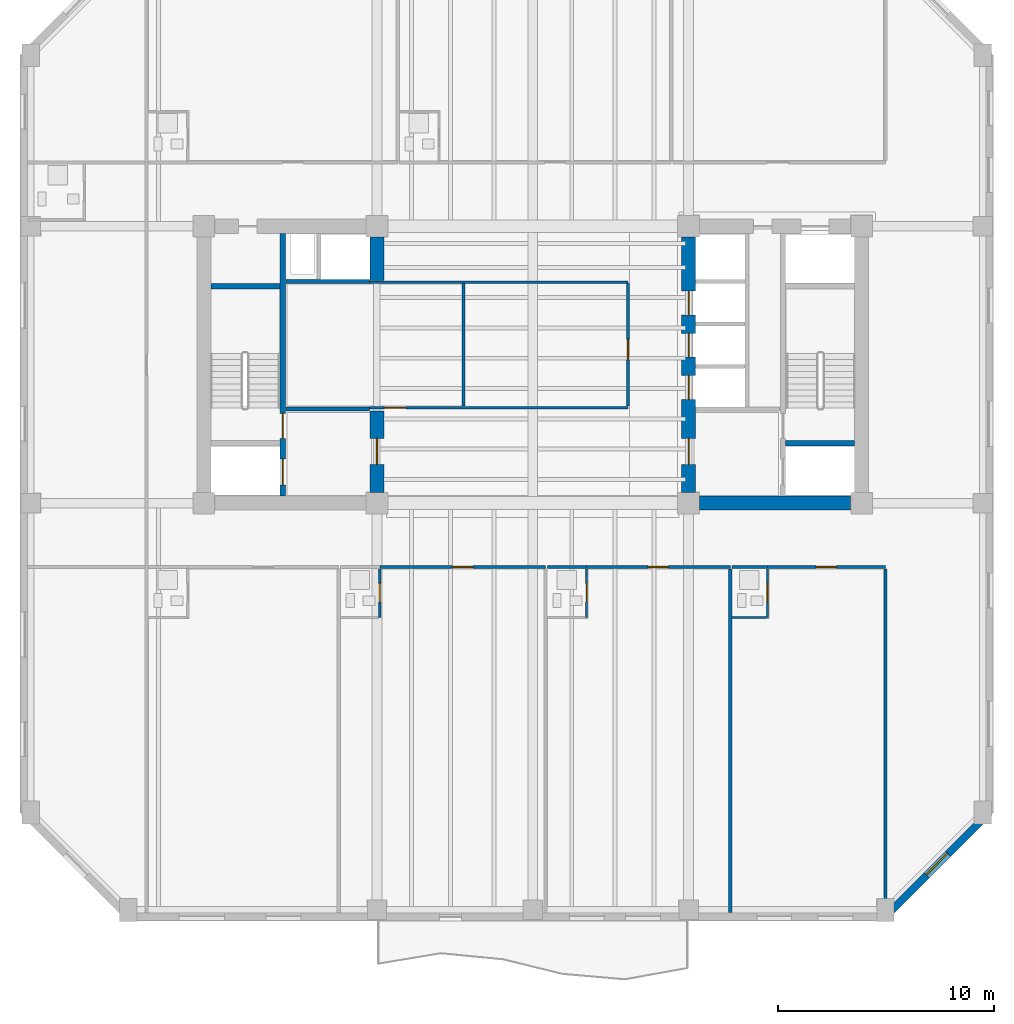
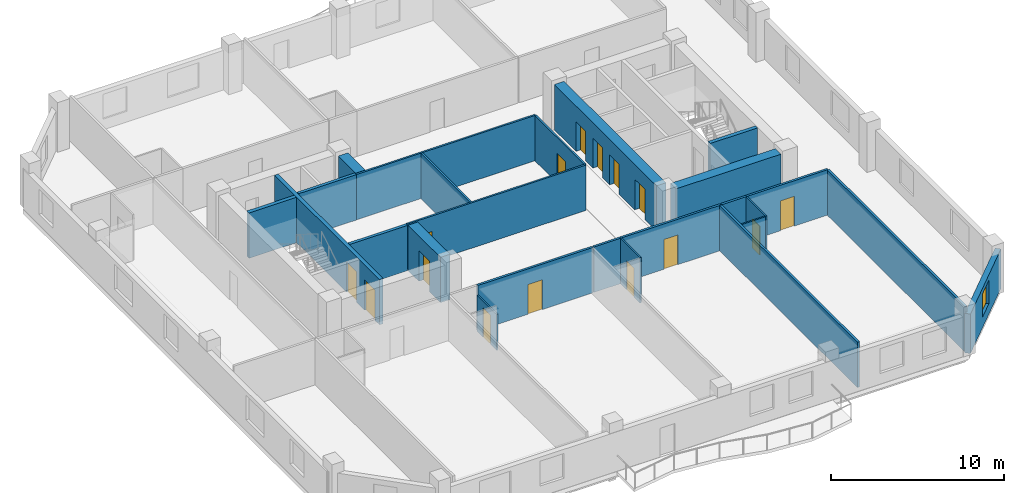
# One storey, part 3 of 10: 25 walls, 15 doors, 1 window, 16 openings.
"""IFC4 building model written with IfcOpenShell, lengths in metres."""

from ifc_helpers import new_model, si_unit, direction, frame, frame_2d, origin, place, context, subcontext, project, spatial, rectangle, extrude, material, layer, layer_set, type_object, element, fill, save


model = new_model("IFC4")

# Units and contexts
model_context = context("Model", 3, precision=1e-05, world=origin(), true_north=direction((0.0, 1.0)))
body_context = subcontext(model_context, "Body", "Model", "MODEL_VIEW")
ifc_project = project(units=[si_unit("LENGTHUNIT", "METRE"), si_unit("AREAUNIT", "SQUARE_METRE"), si_unit("VOLUMEUNIT", "CUBIC_METRE"), si_unit("PLANEANGLEUNIT", "RADIAN"), si_unit("MASSUNIT", "GRAM", prefix="KILO")], contexts=[model_context])

# Site, building, storey
site_placement = place(None, origin())
site = spatial("IfcSite", under=ifc_project, at=site_placement, CompositionType="ELEMENT")
building_placement = place(site_placement, origin())
building = spatial("IfcBuilding", under=site, at=building_placement, Name="Kranthara Brick Stack", CompositionType="ELEMENT")
storey_placement = place(building_placement, frame((0.0, 0.0, 123.800048828125)))
storey = spatial("IfcBuildingStorey", under=building, at=storey_placement, Name="L30", CompositionType="ELEMENT", Elevation=123.800048828125)

# Wall, opening, window
ifc_material_1 = material(Name="Kiln-fired clay brick masonry M15", Category="masonry")
ifc_layer_1 = layer(ifc_material_1, 0.35009765625)
ifc_layer_set_1 = layer_set([ifc_layer_1], Name="Kiln-fired clay brick masonry M15")
wall_type_1 = type_object("IfcWallType", Name="WL-BRK-SPND-350", PredefinedType="STANDARD", material=ifc_layer_set_1)
wall_1_placement = place(storey_placement, frame((49.10498046875, 6.5, 0.0), z_axis=(0.0, 0.0, 1.0), x_axis=(-0.707106781187, -0.707106781187, 0.0)))
wall_1 = element("IfcWall", 1, at=wall_1_placement, inside=storey, type_object=wall_type_1, Name="L30 Exterior Brick Facade Wall SE 1", PredefinedType="STANDARD", context=body_context, shape_type="SweptSolid", body=[
    extrude(rectangle(XDim=6.795166015625, YDim=0.35009765625, at=frame_2d((3.3974609375, 0.0))), origin(), (0.0, 0.0, 1.0), 2.784912109375),
])
opening_1_placement = place(wall_1_placement, frame((2.697998046875, 0.0, 0.75)))
opening_1 = element("IfcOpeningElement", 2, at=opening_1_placement, cuts=wall_1, Name="Opening WN10", PredefinedType="OPENING", context=body_context, shape_type="SweptSolid", body=[
    extrude(rectangle(XDim=1.39990234375, YDim=1.64990234375, at=frame_2d((0.699951171875, 0.824951171875))), frame((0.0, 0.18505859375, 0.0), z_axis=(0.0, -1.0, 0.0), x_axis=(1.0, 0.0, 0.0)), (0.0, 0.0, 1.0), 0.3701171875),
])
ifc_material_2 = material(Name="Double-glazed low-E solar control glass", Category="glass")
window_type = type_object("IfcWindowType", Name="WN-CHM-1400x1750", PartitioningType="SINGLE_PANEL", PredefinedType="WINDOW", material=ifc_material_2)
window_placement = place(opening_1_placement, origin())
window = element("IfcWindow", 3, at=window_placement, inside=storey, type_object=window_type, Name="L30 SE Chamfer Corner Window", OverallHeight=1.64990234375, OverallWidth=1.39990234375, PartitioningType="SINGLE_PANEL", PredefinedType="WINDOW", context=body_context, shape_type="SweptSolid", body=[
    extrude(rectangle(XDim=1.39990234375, YDim=1.64990234375, at=frame_2d((0.699951171875, 0.824951171875))), frame((0.0, -0.010009765625, 0.0), z_axis=(0.0, -1.0, 0.0), x_axis=(1.0, 0.0, 0.0)), (0.0, 0.0, 1.0), 0.06005859375),
])
fill(opening_1, window)

# Wall, openings, doors
ifc_material_3 = material(Name="Concrete C50/60", Category="concrete")
ifc_layer_2 = layer(ifc_material_3, 0.25)
ifc_layer_set_2 = layer_set([ifc_layer_2], Name="Concrete C50/60")
wall_type_2 = type_object("IfcWallType", Name="WL-CORE-250", PredefinedType="SHEAR", material=ifc_layer_set_2)
wall_2_placement = place(storey_placement, frame((16.43505859375, 21.135009765625, 0.0), z_axis=(0.0, 0.0, 1.0), x_axis=(0.0, 1.0, 0.0)))
wall_2 = element("IfcWall", 4, at=wall_2_placement, inside=storey, type_object=wall_type_2, Name="L30 West Core Stair Bearing Spine Wall", PredefinedType="SHEAR", context=body_context, shape_type="SweptSolid", body=[
    extrude(rectangle(XDim=12.1298828125, YDim=0.25, at=frame_2d((6.06494140625, 0.0))), origin(), (0.0, 0.0, 1.0), 3.199951171875),
])
opening_2_placement = place(wall_2_placement, frame((0.514892578125, 0.0, 0.0)))
opening_2 = element("IfcOpeningElement", 5, at=opening_2_placement, cuts=wall_2, Name="Opening LD01", PredefinedType="OPENING", context=body_context, shape_type="SweptSolid", body=[
    extrude(rectangle(XDim=1.199951171875, YDim=2.14990234375, at=frame_2d((0.60009765625, 1.074951171875))), frame((0.0, 0.135009765625, 0.0), z_axis=(0.0, -1.0, 0.0), x_axis=(1.0, 0.0, 0.0)), (0.0, 0.0, 1.0), 0.27001953125),
])
opening_3_placement = place(wall_2_placement, frame((2.6650390625, 0.0, 0.0)))
opening_3 = element("IfcOpeningElement", 6, at=opening_3_placement, cuts=wall_2, Name="Opening D05", PredefinedType="OPENING", context=body_context, shape_type="SweptSolid", body=[
    extrude(rectangle(XDim=1.14990234375, YDim=2.14990234375, at=frame_2d((0.574951171875, 1.074951171875))), frame((0.0, 0.135009765625, 0.0), z_axis=(0.0, -1.0, 0.0), x_axis=(1.0, 0.0, 0.0)), (0.0, 0.0, 1.0), 0.27001953125),
])
ifc_material_4 = material(Name="Stainless steel sliding landing door", Category="steel")
door_type_1 = type_object("IfcDoorType", Name="DR-LD-FF1200", OperationType="DOUBLE_DOOR_SLIDING", PredefinedType="DOOR", material=ifc_material_4)
door_1_placement = place(opening_2_placement, origin())
door_1 = element("IfcDoor", 7, at=door_1_placement, inside=storey, type_object=door_type_1, Name="L30 Firefighting Lift FF-01 Landing Door", OperationType="DOUBLE_DOOR_SLIDING", OverallHeight=2.14990234375, OverallWidth=1.199951171875, PredefinedType="DOOR", context=body_context, shape_type="SweptSolid", body=[
    extrude(rectangle(XDim=1.199951171875, YDim=2.14990234375, at=frame_2d((0.60009765625, 1.074951171875))), frame((0.0, 0.02490234375, 0.0), z_axis=(0.0, -1.0, 0.0), x_axis=(1.0, 0.0, 0.0)), (0.0, 0.0, 1.0), 0.050048828125),
])
fill(opening_2, door_1)
ifc_material_5 = material(Name="Solid-core hardwood timber leaf in steel frame", Category="steel")
door_type_2 = type_object("IfcDoorType", Name="DR-ST-1150", OperationType="NOTDEFINED", PredefinedType="DOOR", material=ifc_material_5)
door_2_placement = place(opening_3_placement, origin())
door_2 = element("IfcDoor", 8, at=door_2_placement, inside=storey, type_object=door_type_2, Name="L30 Exit Stair ST01 Door", OperationType="SINGLE_SWING_RIGHT", OverallHeight=2.14990234375, OverallWidth=1.14990234375, PredefinedType="DOOR", context=body_context, shape_type="SweptSolid", body=[
    extrude(rectangle(XDim=1.14990234375, YDim=2.14990234375, at=frame_2d((0.574951171875, 1.074951171875))), frame((0.0, 0.02490234375, 0.0), z_axis=(0.0, -1.0, 0.0), x_axis=(1.0, 0.0, 0.0)), (0.0, 0.0, 1.0), 0.050048828125),
])
fill(opening_3, door_2)

# Walls
for number, where, z_axis, x_axis, name in (
    (9, (13.135009765625, 30.830078125, 0.0), (0.0, 0.0, 1.0), (1.0, 0.0, 0.0), "L30 West Stairwell Bearing Wall WST"),
    (10, (39.68994140625, 23.570068359375, 0.0), (0.0, 0.0, 1.0), (1.0, 0.0, 0.0), "L30 East Stairwell Bearing Wall EFF"),
):
    element("IfcWall", number, at=place(storey_placement, frame(where, z_axis=z_axis, x_axis=x_axis)), inside=storey, type_object=wall_type_2, Name=name, PredefinedType="SHEAR", context=body_context, shape_type="SweptSolid", body=[
        extrude(rectangle(XDim=3.175048828125, YDim=0.25, at=frame_2d((1.58740234375, 0.0))), origin(), (0.0, 0.0, 1.0), 3.199951171875),
    ])

# Wall, opening, door
ifc_material_6 = material(Name="Concrete C60/75", Category="concrete")
ifc_layer_3 = layer(ifc_material_6, 0.64990234375)
ifc_layer_set_3 = layer_set([ifc_layer_3], Name="Concrete C60/75")
wall_type_3 = type_object("IfcWallType", Name="WL-CORE-650", PredefinedType="SHEAR", material=ifc_layer_set_3)
wall_3_placement = place(storey_placement, frame((20.800048828125, 21.304931640625, 0.0), z_axis=(0.0, 0.0, 1.0), x_axis=(0.0, 1.0, 0.0)))
wall_3 = element("IfcWall", 11, at=wall_3_placement, inside=storey, type_object=wall_type_3, Name="L30 West Core Lobby Shear Wall", PredefinedType="SHEAR", context=body_context, shape_type="SweptSolid", body=[
    extrude(rectangle(XDim=3.7451171875, YDim=0.64990234375, at=frame_2d((1.87255859375, 0.0))), origin(), (0.0, 0.0, 1.0), 3.199951171875),
])
opening_4_placement = place(wall_3_placement, frame((1.294921875, 0.0, 0.0)))
opening_4 = element("IfcOpeningElement", 12, at=opening_4_placement, cuts=wall_3, Name="Opening D06", PredefinedType="OPENING", context=body_context, shape_type="SweptSolid", body=[
    extrude(rectangle(XDim=1.199951171875, YDim=2.14990234375, at=frame_2d((0.60009765625, 1.074951171875))), frame((0.0, 0.3349609375, 0.0), z_axis=(0.0, -1.0, 0.0), x_axis=(1.0, 0.0, 0.0)), (0.0, 0.0, 1.0), 0.669921875),
])
ifc_material_7 = material(Name="Solid-core hardwood timber leaf in steel frame", Category="steel")
door_type_3 = type_object("IfcDoorType", Name="DR-FFL-1200", OperationType="NOTDEFINED", PredefinedType="DOOR", material=ifc_material_7)
door_3_placement = place(opening_4_placement, origin())
door_3 = element("IfcDoor", 13, at=door_3_placement, inside=storey, type_object=door_type_3, Name="L30 West Firefighting Lobby Door", OperationType="SINGLE_SWING_LEFT", OverallHeight=2.14990234375, OverallWidth=1.199951171875, PredefinedType="DOOR", context=body_context, shape_type="SweptSolid", body=[
    extrude(rectangle(XDim=1.199951171875, YDim=2.14990234375, at=frame_2d((0.60009765625, 1.074951171875))), frame((0.0, 0.02490234375, 0.0), z_axis=(0.0, -1.0, 0.0), x_axis=(1.0, 0.0, 0.0)), (0.0, 0.0, 1.0), 0.050048828125),
])
fill(opening_4, door_3)

# Walls
wall_4_placement = place(storey_placement, frame((20.800048828125, 31.10009765625, 0.0), z_axis=(0.0, 0.0, 1.0), x_axis=(0.0, 1.0, 0.0)))
element("IfcWall", 14, at=wall_4_placement, inside=storey, type_object=wall_type_3, Name="L30 West Core High-Rise Lift Wall", PredefinedType="SHEAR", context=body_context, shape_type="SweptSolid", body=[
    extrude(rectangle(XDim=1.994873046875, YDim=0.64990234375, at=frame_2d((0.99755859375, 0.0))), origin(), (0.0, 0.0, 1.0), 3.199951171875),
])
wall_5_placement = place(storey_placement, frame((35.705078125, 20.800048828125, 0.0), z_axis=(0.0, 0.0, 1.0), x_axis=(1.0, 0.0, 0.0)))
element("IfcWall", 15, at=wall_5_placement, inside=storey, type_object=wall_type_3, Name="L30 East Core Shear Wall South", PredefinedType="SHEAR", context=body_context, shape_type="SweptSolid", body=[
    extrude(rectangle(XDim=6.989990234375, YDim=0.64990234375, at=frame_2d((3.4951171875, 0.0))), origin(), (0.0, 0.0, 1.0), 3.199951171875),
])

# Wall, openings, doors
wall_6_placement = place(storey_placement, frame((35.199951171875, 21.304931640625, 0.0), z_axis=(0.0, 0.0, 1.0), x_axis=(0.0, 1.0, 0.0)))
wall_6 = element("IfcWall", 16, at=wall_6_placement, inside=storey, type_object=wall_type_3, Name="L30 East Core Shear Wall West", PredefinedType="SHEAR", context=body_context, shape_type="SweptSolid", body=[
    extrude(rectangle(XDim=11.7900390625, YDim=0.64990234375, at=frame_2d((5.89501953125, 0.0))), origin(), (0.0, 0.0, 1.0), 3.199951171875),
])
opening_5_placement = place(wall_6_placement, frame((1.294921875, 0.0, 0.0)))
opening_5 = element("IfcOpeningElement", 17, at=opening_5_placement, cuts=wall_6, Name="Opening D06", PredefinedType="OPENING", context=body_context, shape_type="SweptSolid", body=[
    extrude(rectangle(XDim=1.199951171875, YDim=2.14990234375, at=frame_2d((0.60009765625, 1.074951171875))), frame((0.0, 0.3349609375, 0.0), z_axis=(0.0, -1.0, 0.0), x_axis=(1.0, 0.0, 0.0)), (0.0, 0.0, 1.0), 0.669921875),
])
opening_6_placement = place(wall_6_placement, frame((4.294921875, 0.0, 0.0)))
opening_6 = element("IfcOpeningElement", 18, at=opening_6_placement, cuts=wall_6, Name="Opening LD02", PredefinedType="OPENING", context=body_context, shape_type="SweptSolid", body=[
    extrude(rectangle(XDim=1.10009765625, YDim=2.10009765625, at=frame_2d((0.550048828125, 1.050048828125))), frame((0.0, 0.3349609375, 0.0), z_axis=(0.0, -1.0, 0.0), x_axis=(1.0, 0.0, 0.0)), (0.0, 0.0, 1.0), 0.669921875),
])
opening_7_placement = place(wall_6_placement, frame((6.2451171875, 0.0, 0.0)))
opening_7 = element("IfcOpeningElement", 19, at=opening_7_placement, cuts=wall_6, Name="Opening LD02", PredefinedType="OPENING", context=body_context, shape_type="SweptSolid", body=[
    extrude(rectangle(XDim=1.10009765625, YDim=2.10009765625, at=frame_2d((0.550048828125, 1.050048828125))), frame((0.0, 0.3349609375, 0.0), z_axis=(0.0, -1.0, 0.0), x_axis=(1.0, 0.0, 0.0)), (0.0, 0.0, 1.0), 0.669921875),
])
opening_8_placement = place(wall_6_placement, frame((8.195068359375, 0.0, 0.0)))
opening_8 = element("IfcOpeningElement", 20, at=opening_8_placement, cuts=wall_6, Name="Opening LD02", PredefinedType="OPENING", context=body_context, shape_type="SweptSolid", body=[
    extrude(rectangle(XDim=1.10009765625, YDim=2.10009765625, at=frame_2d((0.550048828125, 1.050048828125))), frame((0.0, 0.3349609375, 0.0), z_axis=(0.0, -1.0, 0.0), x_axis=(1.0, 0.0, 0.0)), (0.0, 0.0, 1.0), 0.669921875),
])
door_4_placement = place(opening_5_placement, origin())
door_4 = element("IfcDoor", 21, at=door_4_placement, inside=storey, type_object=door_type_3, Name="L30 East Firefighting Lobby Door", OperationType="SINGLE_SWING_RIGHT", OverallHeight=2.14990234375, OverallWidth=1.199951171875, PredefinedType="DOOR", context=body_context, shape_type="SweptSolid", body=[
    extrude(rectangle(XDim=1.199951171875, YDim=2.14990234375, at=frame_2d((0.60009765625, 1.074951171875))), frame((0.0, 0.02490234375, 0.0), z_axis=(0.0, -1.0, 0.0), x_axis=(1.0, 0.0, 0.0)), (0.0, 0.0, 1.0), 0.050048828125),
])
fill(opening_5, door_4)
ifc_material_8 = material(Name="Stainless steel sliding landing door", Category="steel")
door_type_4 = type_object("IfcDoorType", Name="DR-LD-PL1100", OperationType="DOUBLE_DOOR_SLIDING", PredefinedType="DOOR", material=ifc_material_8)
door_5_placement = place(opening_6_placement, origin())
door_5 = element("IfcDoor", 22, at=door_5_placement, inside=storey, type_object=door_type_4, Name="L30 PL-04 Lift Landing Door", OperationType="DOUBLE_DOOR_SLIDING", OverallHeight=2.10009765625, OverallWidth=1.10009765625, PredefinedType="DOOR", context=body_context, shape_type="SweptSolid", body=[
    extrude(rectangle(XDim=1.10009765625, YDim=2.10009765625, at=frame_2d((0.550048828125, 1.050048828125))), frame((0.0, 0.02490234375, 0.0), z_axis=(0.0, -1.0, 0.0), x_axis=(1.0, 0.0, 0.0)), (0.0, 0.0, 1.0), 0.050048828125),
])
fill(opening_6, door_5)
door_6_placement = place(opening_7_placement, origin())
door_6 = element("IfcDoor", 23, at=door_6_placement, inside=storey, type_object=door_type_4, Name="L30 PL-05 Lift Landing Door", OperationType="DOUBLE_DOOR_SLIDING", OverallHeight=2.10009765625, OverallWidth=1.10009765625, PredefinedType="DOOR", context=body_context, shape_type="SweptSolid", body=[
    extrude(rectangle(XDim=1.10009765625, YDim=2.10009765625, at=frame_2d((0.550048828125, 1.050048828125))), frame((0.0, 0.02490234375, 0.0), z_axis=(0.0, -1.0, 0.0), x_axis=(1.0, 0.0, 0.0)), (0.0, 0.0, 1.0), 0.050048828125),
])
fill(opening_7, door_6)
door_7_placement = place(opening_8_placement, origin())
door_7 = element("IfcDoor", 24, at=door_7_placement, inside=storey, type_object=door_type_4, Name="L30 PL-06 Lift Landing Door", OperationType="DOUBLE_DOOR_SLIDING", OverallHeight=2.10009765625, OverallWidth=1.10009765625, PredefinedType="DOOR", context=body_context, shape_type="SweptSolid", body=[
    extrude(rectangle(XDim=1.10009765625, YDim=2.10009765625, at=frame_2d((0.550048828125, 1.050048828125))), frame((0.0, 0.02490234375, 0.0), z_axis=(0.0, -1.0, 0.0), x_axis=(1.0, 0.0, 0.0)), (0.0, 0.0, 1.0), 0.050048828125),
])
fill(opening_8, door_7)

# Wall, opening, door
ifc_material_9 = material(Name="Moisture-resistant wet-room partition", Category="other")
ifc_layer_4 = layer(ifc_material_9, 0.10009765625)
ifc_layer_set_4 = layer_set([ifc_layer_4], Name="Moisture-resistant wet-room partition")
wall_type_4 = type_object("IfcWallType", Name="WL-PART-100", PredefinedType="PARTITIONING", material=ifc_layer_set_4)
wall_7_placement = place(storey_placement, frame((20.928955078125, 15.52001953125, 0.0), z_axis=(0.0, 0.0, 1.0), x_axis=(0.0, 1.0, 0.0)))
wall_7 = element("IfcWall", 25, at=wall_7_placement, inside=storey, type_object=wall_type_4, Name="L30 Interior Partition 013", PredefinedType="PARTITIONING", context=body_context, shape_type="SweptSolid", body=[
    extrude(rectangle(XDim=2.25, YDim=0.10009765625, at=frame_2d((1.125, 0.0))), origin(), (0.0, 0.0, 1.0), 2.534912109375),
])
opening_9_placement = place(wall_7_placement, frame((0.719970703125, 0.0, 0.0)))
opening_9 = element("IfcOpeningElement", 26, at=opening_9_placement, cuts=wall_7, Name="Opening D17", PredefinedType="OPENING", context=body_context, shape_type="SweptSolid", body=[
    extrude(rectangle(XDim=0.85009765625, YDim=2.050048828125, at=frame_2d((0.425048828125, 1.02490234375))), frame((0.0, 0.06005859375, 0.0), z_axis=(0.0, -1.0, 0.0), x_axis=(1.0, 0.0, 0.0)), (0.0, 0.0, 1.0), 0.1201171875),
])
ifc_material_10 = material(Name="Solid-core hardwood timber leaf in steel frame", Category="steel")
door_type_5 = type_object("IfcDoorType", Name="DR-WET-850", OperationType="NOTDEFINED", PredefinedType="DOOR", material=ifc_material_10)
door_8_placement = place(opening_9_placement, origin())
door_8 = element("IfcDoor", 27, at=door_8_placement, inside=storey, type_object=door_type_5, Name="L30 Key 02 En-Suite Door 05", OperationType="SINGLE_SWING_LEFT", OverallHeight=2.050048828125, OverallWidth=0.85009765625, PredefinedType="DOOR", context=body_context, shape_type="SweptSolid", body=[
    extrude(rectangle(XDim=0.85009765625, YDim=2.050048828125, at=frame_2d((0.425048828125, 1.02490234375))), frame((0.0, 0.02490234375, 0.0), z_axis=(0.0, -1.0, 0.0), x_axis=(1.0, 0.0, 0.0)), (0.0, 0.0, 1.0), 0.050048828125),
])
fill(opening_9, door_8)

wall_8_placement = place(storey_placement, frame((30.490966796875, 15.52001953125, 0.0), z_axis=(0.0, 0.0, 1.0), x_axis=(0.0, 1.0, 0.0)))
wall_8 = element("IfcWall", 28, at=wall_8_placement, inside=storey, type_object=wall_type_4, Name="L30 Interior Partition 018", PredefinedType="PARTITIONING", context=body_context, shape_type="SweptSolid", body=[
    extrude(rectangle(XDim=2.25, YDim=0.10009765625, at=frame_2d((1.125, 0.0))), origin(), (0.0, 0.0, 1.0), 3.199951171875),
])
opening_10_placement = place(wall_8_placement, frame((0.719970703125, 0.0, 0.0)))
opening_10 = element("IfcOpeningElement", 29, at=opening_10_placement, cuts=wall_8, Name="Opening D17", PredefinedType="OPENING", context=body_context, shape_type="SweptSolid", body=[
    extrude(rectangle(XDim=0.85009765625, YDim=2.050048828125, at=frame_2d((0.425048828125, 1.02490234375))), frame((0.0, 0.06005859375, 0.0), z_axis=(0.0, -1.0, 0.0), x_axis=(1.0, 0.0, 0.0)), (0.0, 0.0, 1.0), 0.1201171875),
])
door_9_placement = place(opening_10_placement, origin())
door_9 = element("IfcDoor", 30, at=door_9_placement, inside=storey, type_object=door_type_5, Name="L30 Key 03 En-Suite Door 07", OperationType="SINGLE_SWING_LEFT", OverallHeight=2.050048828125, OverallWidth=0.85009765625, PredefinedType="DOOR", context=body_context, shape_type="SweptSolid", body=[
    extrude(rectangle(XDim=0.85009765625, YDim=2.050048828125, at=frame_2d((0.425048828125, 1.02490234375))), frame((0.0, 0.02490234375, 0.0), z_axis=(0.0, -1.0, 0.0), x_axis=(1.0, 0.0, 0.0)), (0.0, 0.0, 1.0), 0.050048828125),
])
fill(opening_10, door_9)

wall_9_placement = place(storey_placement, frame((38.85009765625, 15.52001953125, 0.0), z_axis=(0.0, 0.0, 1.0), x_axis=(0.0, 1.0, 0.0)))
wall_9 = element("IfcWall", 31, at=wall_9_placement, inside=storey, type_object=wall_type_4, Name="L30 Interior Partition 023", PredefinedType="PARTITIONING", context=body_context, shape_type="SweptSolid", body=[
    extrude(rectangle(XDim=2.25, YDim=0.10009765625, at=frame_2d((1.125, 0.0))), origin(), (0.0, 0.0, 1.0), 3.199951171875),
])
opening_11_placement = place(wall_9_placement, frame((0.719970703125, 0.0, 0.0)))
opening_11 = element("IfcOpeningElement", 32, at=opening_11_placement, cuts=wall_9, Name="Opening D17", PredefinedType="OPENING", context=body_context, shape_type="SweptSolid", body=[
    extrude(rectangle(XDim=0.85009765625, YDim=2.050048828125, at=frame_2d((0.425048828125, 1.02490234375))), frame((0.0, 0.06005859375, 0.0), z_axis=(0.0, -1.0, 0.0), x_axis=(1.0, 0.0, 0.0)), (0.0, 0.0, 1.0), 0.1201171875),
])
door_10_placement = place(opening_11_placement, origin())
door_10 = element("IfcDoor", 33, at=door_10_placement, inside=storey, type_object=door_type_5, Name="L30 Key 04 En-Suite Door 09", OperationType="SINGLE_SWING_LEFT", OverallHeight=2.050048828125, OverallWidth=0.85009765625, PredefinedType="DOOR", context=body_context, shape_type="SweptSolid", body=[
    extrude(rectangle(XDim=0.85009765625, YDim=2.050048828125, at=frame_2d((0.425048828125, 1.02490234375))), frame((0.0, 0.02490234375, 0.0), z_axis=(0.0, -1.0, 0.0), x_axis=(1.0, 0.0, 0.0)), (0.0, 0.0, 1.0), 0.050048828125),
])
fill(opening_11, door_10)

# Wall
wall_10_placement = place(storey_placement, frame((37.208984375, 15.52001953125, 0.0), z_axis=(0.0, 0.0, 1.0), x_axis=(1.0, 0.0, 0.0)))
element("IfcWall", 34, at=wall_10_placement, inside=storey, type_object=wall_type_4, Name="L30 Interior Partition 024", PredefinedType="PARTITIONING", context=body_context, shape_type="SweptSolid", body=[
    extrude(rectangle(XDim=1.5859375, YDim=0.10009765625, at=frame_2d((0.79296875, 0.0))), origin(), (0.0, 0.0, 1.0), 3.199951171875),
])

# Wall, opening, door
ifc_material_11 = material(Name="Acoustic gypsum plasterboard partition", Category="other")
ifc_layer_5 = layer(ifc_material_11, 0.1201171875)
ifc_layer_set_5 = layer_set([ifc_layer_5], Name="Acoustic gypsum plasterboard partition")
wall_type_5 = type_object("IfcWallType", Name="WL-PART-120", PredefinedType="PARTITIONING", material=ifc_layer_set_5)
wall_11_placement = place(storey_placement, frame((20.4599609375, 25.219970703125, 0.0), z_axis=(0.0, 0.0, 1.0), x_axis=(1.0, 0.0, 0.0)))
wall_11 = element("IfcWall", 35, at=wall_11_placement, inside=storey, type_object=wall_type_5, Name="L30 Interior Partition 001", PredefinedType="PARTITIONING", context=body_context, shape_type="SweptSolid", body=[
    extrude(rectangle(XDim=11.93994140625, YDim=0.1201171875, at=frame_2d((5.969970703125, 0.0))), origin(), (0.0, 0.0, 1.0), 3.199951171875),
])
opening_12_placement = place(wall_11_placement, frame((0.679931640625, 0.0, 0.0)))
opening_12 = element("IfcOpeningElement", 36, at=opening_12_placement, cuts=wall_11, Name="Opening D13", PredefinedType="OPENING", context=body_context, shape_type="SweptSolid", body=[
    extrude(rectangle(XDim=1.0, YDim=2.10009765625, at=frame_2d((0.5, 1.050048828125))), frame((0.0, 0.070068359375, 0.0), z_axis=(0.0, -1.0, 0.0), x_axis=(1.0, 0.0, 0.0)), (0.0, 0.0, 1.0), 0.14013671875),
])
ifc_material_12 = material(Name="Solid-core hardwood timber leaf in steel frame", Category="steel")
door_type_6 = type_object("IfcDoorType", Name="DR-INT-1000", OperationType="NOTDEFINED", PredefinedType="DOOR", material=ifc_material_12)
door_11_placement = place(opening_12_placement, origin())
door_11 = element("IfcDoor", 37, at=door_11_placement, inside=storey, type_object=door_type_6, Name="L30 Hotel Club Lounge Door 01", OperationType="SINGLE_SWING_LEFT", OverallHeight=2.10009765625, OverallWidth=1.0, PredefinedType="DOOR", context=body_context, shape_type="SweptSolid", body=[
    extrude(rectangle(XDim=1.0, YDim=2.10009765625, at=frame_2d((0.5, 1.050048828125))), frame((0.0, 0.02490234375, 0.0), z_axis=(0.0, -1.0, 0.0), x_axis=(1.0, 0.0, 0.0)), (0.0, 0.0, 1.0), 0.050048828125),
])
fill(opening_12, door_11)

# Wall
wall_12_placement = place(storey_placement, frame((20.4599609375, 31.02001953125, 0.0), z_axis=(0.0, 0.0, 1.0), x_axis=(1.0, 0.0, 0.0)))
element("IfcWall", 38, at=wall_12_placement, inside=storey, type_object=wall_type_5, Name="L30 Interior Partition 002", PredefinedType="PARTITIONING", context=body_context, shape_type="SweptSolid", body=[
    extrude(rectangle(XDim=11.93994140625, YDim=0.1201171875, at=frame_2d((5.969970703125, 0.0))), origin(), (0.0, 0.0, 1.0), 3.199951171875),
])

# Wall, opening, door
wall_13_placement = place(storey_placement, frame((32.39990234375, 25.284912109375, 0.0), z_axis=(0.0, 0.0, 1.0), x_axis=(0.0, 1.0, 0.0)))
wall_13 = element("IfcWall", 39, at=wall_13_placement, inside=storey, type_object=wall_type_5, Name="L30 Interior Partition 003", PredefinedType="PARTITIONING", context=body_context, shape_type="SweptSolid", body=[
    extrude(rectangle(XDim=5.670166015625, YDim=0.1201171875, at=frame_2d((2.8349609375, 0.0))), origin(), (0.0, 0.0, 1.0), 3.199951171875),
])
opening_13_placement = place(wall_13_placement, frame((2.135009765625, 0.0, 0.0)))
opening_13 = element("IfcOpeningElement", 40, at=opening_13_placement, cuts=wall_13, Name="Opening D14", PredefinedType="OPENING", context=body_context, shape_type="SweptSolid", body=[
    extrude(rectangle(XDim=0.949951171875, YDim=2.10009765625, at=frame_2d((0.47509765625, 1.050048828125))), frame((0.0, 0.070068359375, 0.0), z_axis=(0.0, -1.0, 0.0), x_axis=(1.0, 0.0, 0.0)), (0.0, 0.0, 1.0), 0.14013671875),
])
ifc_material_13 = material(Name="Solid-core hardwood timber leaf in steel frame", Category="steel")
door_type_7 = type_object("IfcDoorType", Name="DR-INT-950", OperationType="NOTDEFINED", PredefinedType="DOOR", material=ifc_material_13)
door_12_placement = place(opening_13_placement, origin())
door_12 = element("IfcDoor", 41, at=door_12_placement, inside=storey, type_object=door_type_7, Name="L30 Housekeeping Linen Door 02", OperationType="SINGLE_SWING_RIGHT", OverallHeight=2.10009765625, OverallWidth=0.949951171875, PredefinedType="DOOR", context=body_context, shape_type="SweptSolid", body=[
    extrude(rectangle(XDim=0.949951171875, YDim=2.10009765625, at=frame_2d((0.47509765625, 1.050048828125))), frame((0.0, 0.02490234375, 0.0), z_axis=(0.0, -1.0, 0.0), x_axis=(1.0, 0.0, 0.0)), (0.0, 0.0, 1.0), 0.050048828125),
])
fill(opening_13, door_12)

# Wall
wall_14_placement = place(storey_placement, frame((24.800048828125, 25.284912109375, 0.0), z_axis=(0.0, 0.0, 1.0), x_axis=(0.0, 1.0, 0.0)))
element("IfcWall", 42, at=wall_14_placement, inside=storey, type_object=wall_type_5, Name="L30 Interior Partition 004", PredefinedType="PARTITIONING", context=body_context, shape_type="SweptSolid", body=[
    extrude(rectangle(XDim=5.670166015625, YDim=0.1201171875, at=frame_2d((2.8349609375, 0.0))), origin(), (0.0, 0.0, 1.0), 3.199951171875),
])

# Wall, opening, door
ifc_material_14 = material(Name="Fire-rated gypsum board partition", Category="other")
ifc_layer_6 = layer(ifc_material_14, 0.14990234375)
ifc_layer_set_6 = layer_set([ifc_layer_6], Name="Fire-rated gypsum board partition")
wall_type_6 = type_object("IfcWallType", Name="WL-PART-150", PredefinedType="PARTITIONING", material=ifc_layer_set_6)
wall_15_placement = place(storey_placement, frame((20.928955078125, 17.85009765625, 0.0), z_axis=(0.0, 0.0, 1.0), x_axis=(1.0, 0.0, 0.0)))
wall_15 = element("IfcWall", 43, at=wall_15_placement, inside=storey, type_object=wall_type_6, Name="L30 Interior Partition 012", PredefinedType="PARTITIONING", context=body_context, shape_type="SweptSolid", body=[
    extrude(rectangle(XDim=7.662109375, YDim=0.14990234375, at=frame_2d((3.8310546875, 0.0))), origin(), (0.0, 0.0, 1.0), 3.199951171875),
])
opening_14_placement = place(wall_15_placement, frame((3.35107421875, 0.0, 0.0)))
opening_14 = element("IfcOpeningElement", 44, at=opening_14_placement, cuts=wall_15, Name="Opening D09", PredefinedType="OPENING", context=body_context, shape_type="SweptSolid", body=[
    extrude(rectangle(XDim=0.949951171875, YDim=2.10009765625, at=frame_2d((0.47509765625, 1.050048828125))), frame((0.0, 0.0849609375, 0.0), z_axis=(0.0, -1.0, 0.0), x_axis=(1.0, 0.0, 0.0)), (0.0, 0.0, 1.0), 0.169921875),
])
ifc_material_15 = material(Name="Solid-core hardwood timber leaf in steel frame", Category="steel")
door_type_8 = type_object("IfcDoorType", Name="DR-FD-950", OperationType="NOTDEFINED", PredefinedType="DOOR", material=ifc_material_15)
door_13_placement = place(opening_14_placement, origin())
door_13 = element("IfcDoor", 45, at=door_13_placement, inside=storey, type_object=door_type_8, Name="L30 Key 02 Entry 06", OperationType="SINGLE_SWING_RIGHT", OverallHeight=2.10009765625, OverallWidth=0.949951171875, PredefinedType="DOOR", context=body_context, shape_type="SweptSolid", body=[
    extrude(rectangle(XDim=0.949951171875, YDim=2.10009765625, at=frame_2d((0.47509765625, 1.050048828125))), frame((0.0, 0.02490234375, 0.0), z_axis=(0.0, -1.0, 0.0), x_axis=(1.0, 0.0, 0.0)), (0.0, 0.0, 1.0), 0.050048828125),
])
fill(opening_14, door_13)

# Wall
wall_16_placement = place(storey_placement, frame((28.6708984375, 17.85009765625, 0.0), z_axis=(0.0, 0.0, 1.0), x_axis=(1.0, 0.0, 0.0)))
element("IfcWall", 46, at=wall_16_placement, inside=storey, type_object=wall_type_6, Name="L30 Interior Partition 016", PredefinedType="PARTITIONING", context=body_context, shape_type="SweptSolid", body=[
    extrude(rectangle(XDim=1.820068359375, YDim=0.14990234375, at=frame_2d((0.91015625, 0.0))), origin(), (0.0, 0.0, 1.0), 3.199951171875),
])

# Wall, opening, door
wall_17_placement = place(storey_placement, frame((30.490966796875, 17.85009765625, 0.0), z_axis=(0.0, 0.0, 1.0), x_axis=(1.0, 0.0, 0.0)))
wall_17 = element("IfcWall", 47, at=wall_17_placement, inside=storey, type_object=wall_type_6, Name="L30 Interior Partition 017", PredefinedType="PARTITIONING", context=body_context, shape_type="SweptSolid", body=[
    extrude(rectangle(XDim=6.637939453125, YDim=0.14990234375, at=frame_2d((3.31884765625, 0.0))), origin(), (0.0, 0.0, 1.0), 3.199951171875),
])
opening_15_placement = place(wall_17_placement, frame((2.839111328125, 0.0, 0.0)))
opening_15 = element("IfcOpeningElement", 48, at=opening_15_placement, cuts=wall_17, Name="Opening D09", PredefinedType="OPENING", context=body_context, shape_type="SweptSolid", body=[
    extrude(rectangle(XDim=0.949951171875, YDim=2.10009765625, at=frame_2d((0.47509765625, 1.050048828125))), frame((0.0, 0.0849609375, 0.0), z_axis=(0.0, -1.0, 0.0), x_axis=(1.0, 0.0, 0.0)), (0.0, 0.0, 1.0), 0.169921875),
])
door_14_placement = place(opening_15_placement, origin())
door_14 = element("IfcDoor", 49, at=door_14_placement, inside=storey, type_object=door_type_8, Name="L30 Key 03 Entry 08", OperationType="SINGLE_SWING_RIGHT", OverallHeight=2.10009765625, OverallWidth=0.949951171875, PredefinedType="DOOR", context=body_context, shape_type="SweptSolid", body=[
    extrude(rectangle(XDim=0.949951171875, YDim=2.10009765625, at=frame_2d((0.47509765625, 1.050048828125))), frame((0.0, 0.02490234375, 0.0), z_axis=(0.0, -1.0, 0.0), x_axis=(1.0, 0.0, 0.0)), (0.0, 0.0, 1.0), 0.050048828125),
])
fill(opening_15, door_14)

# Walls
wall_18_placement = place(storey_placement, frame((37.12890625, 1.875, 0.0), z_axis=(0.0, 0.0, 1.0), x_axis=(0.0, 1.0, 0.0)))
element("IfcWall", 50, at=wall_18_placement, inside=storey, type_object=wall_type_6, Name="L30 Interior Partition 020", PredefinedType="PARTITIONING", context=body_context, shape_type="SweptSolid", body=[
    extrude(rectangle(XDim=15.89501953125, YDim=0.14990234375, at=frame_2d((7.947509765625, 0.0))), origin(), (0.0, 0.0, 1.0), 3.199951171875),
])
wall_19_placement = place(storey_placement, frame((37.208984375, 17.85009765625, 0.0), z_axis=(0.0, 0.0, 1.0), x_axis=(1.0, 0.0, 0.0)))
element("IfcWall", 51, at=wall_19_placement, inside=storey, type_object=wall_type_6, Name="L30 Interior Partition 021", PredefinedType="PARTITIONING", context=body_context, shape_type="SweptSolid", body=[
    extrude(rectangle(XDim=1.64111328125, YDim=0.14990234375, at=frame_2d((0.820556640625, 0.0))), origin(), (0.0, 0.0, 1.0), 3.199951171875),
])

# Wall, opening, door
wall_20_placement = place(storey_placement, frame((38.85009765625, 17.85009765625, 0.0), z_axis=(0.0, 0.0, 1.0), x_axis=(1.0, 0.0, 0.0)))
wall_20 = element("IfcWall", 52, at=wall_20_placement, inside=storey, type_object=wall_type_6, Name="L30 Interior Partition 022", PredefinedType="PARTITIONING", context=body_context, shape_type="SweptSolid", body=[
    extrude(rectangle(XDim=5.449951171875, YDim=0.14990234375, at=frame_2d((2.72509765625, 0.0))), origin(), (0.0, 0.0, 1.0), 3.199951171875),
])
opening_16_placement = place(wall_20_placement, frame((2.2451171875, 0.0, 0.0)))
opening_16 = element("IfcOpeningElement", 53, at=opening_16_placement, cuts=wall_20, Name="Opening D09", PredefinedType="OPENING", context=body_context, shape_type="SweptSolid", body=[
    extrude(rectangle(XDim=0.949951171875, YDim=2.10009765625, at=frame_2d((0.47509765625, 1.050048828125))), frame((0.0, 0.0849609375, 0.0), z_axis=(0.0, -1.0, 0.0), x_axis=(1.0, 0.0, 0.0)), (0.0, 0.0, 1.0), 0.169921875),
])
door_15_placement = place(opening_16_placement, origin())
door_15 = element("IfcDoor", 54, at=door_15_placement, inside=storey, type_object=door_type_8, Name="L30 Key 04 Entry 10", OperationType="SINGLE_SWING_RIGHT", OverallHeight=2.10009765625, OverallWidth=0.949951171875, PredefinedType="DOOR", context=body_context, shape_type="SweptSolid", body=[
    extrude(rectangle(XDim=0.949951171875, YDim=2.10009765625, at=frame_2d((0.47509765625, 1.050048828125))), frame((0.0, 0.02490234375, 0.0), z_axis=(0.0, -1.0, 0.0), x_axis=(1.0, 0.0, 0.0)), (0.0, 0.0, 1.0), 0.050048828125),
])
fill(opening_16, door_15)

# Walls
wall_21_placement = place(storey_placement, frame((44.300048828125, 1.875, 0.0), z_axis=(0.0, 0.0, 1.0), x_axis=(0.0, 1.0, 0.0)))
element("IfcWall", 55, at=wall_21_placement, inside=storey, type_object=wall_type_6, Name="L30 Interior Partition 025", PredefinedType="PARTITIONING", context=body_context, shape_type="SweptSolid", body=[
    extrude(rectangle(XDim=15.89501953125, YDim=0.14990234375, at=frame_2d((7.947509765625, 0.0))), origin(), (0.0, 0.0, 1.0), 3.199951171875),
])
ifc_material_16 = material(Name="Concrete C40/50", Category="concrete")
ifc_layer_7 = layer(ifc_material_16, 0.199951171875)
ifc_layer_set_7 = layer_set([ifc_layer_7], Name="Concrete C40/50")
wall_type_7 = type_object("IfcWallType", Name="WL-PART-200", PredefinedType="SOLIDWALL", material=ifc_layer_set_7)
for number, where, z_axis, x_axis, name in (
    (56, (16.60009765625, 25.14990234375, 0.0), (0.0, 0.0, 1.0), (1.0, 0.0, 0.0), "L30 West Core Cross Wall WFL"),
    (57, (16.60009765625, 31.050048828125, 0.0), (0.0, 0.0, 1.0), (1.0, 0.0, 0.0), "L30 West Core Cross Wall WH4"),
):
    element("IfcWall", number, at=place(storey_placement, frame(where, z_axis=z_axis, x_axis=x_axis)), inside=storey, type_object=wall_type_7, Name=name, PredefinedType="SOLIDWALL", context=body_context, shape_type="SweptSolid", body=[
        extrude(rectangle(XDim=3.849853515625, YDim=0.199951171875, at=frame_2d((1.9248046875, 0.0))), origin(), (0.0, 0.0, 1.0), 3.199951171875),
    ])

save(model, "model.ifc")
